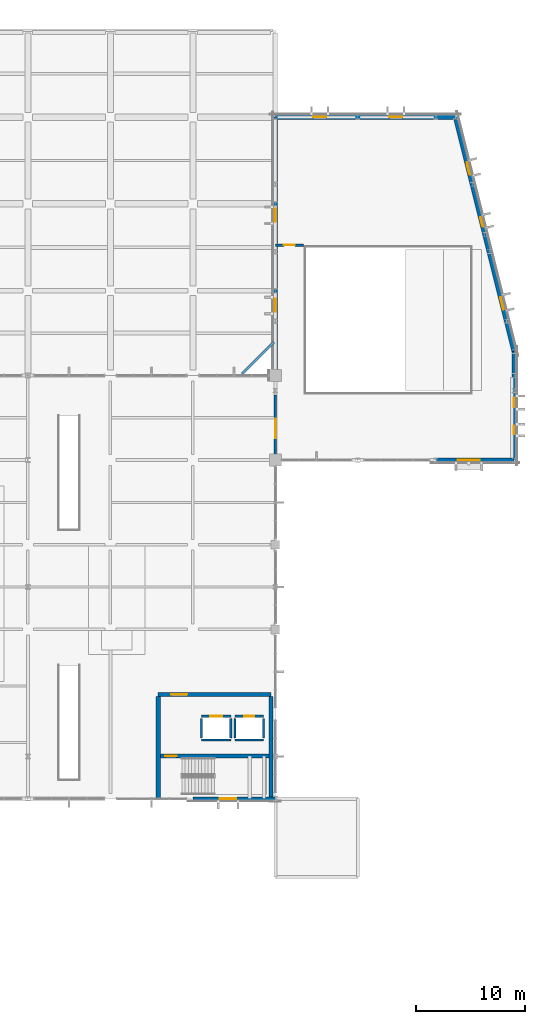
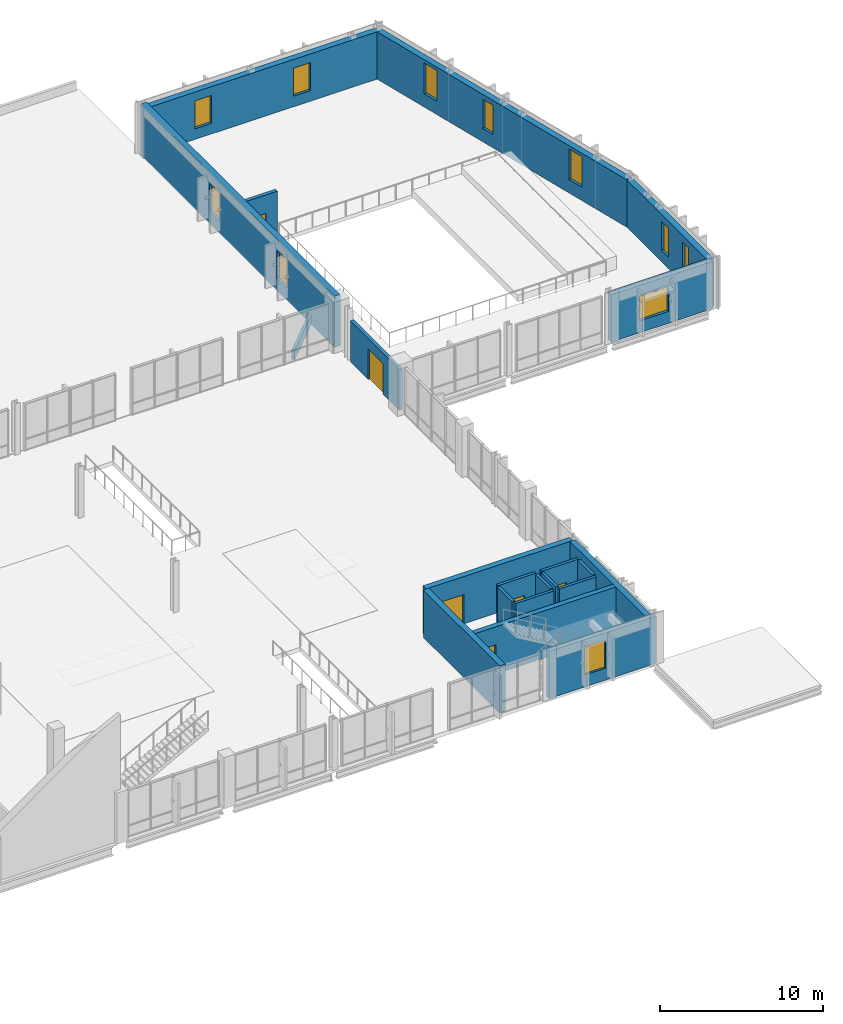
# One storey, part 63 of 85: 21 walls, 11 windows, 6 doors, 17 openings.
"""IFC4 building model written with IfcOpenShell, lengths in metres."""

from ifc_helpers import new_model, si_unit, direction, frame, frame_2d, origin, place, context, subcontext, project, spatial, rectangle, extrude, material, layer, layer_set, type_object, element, fill, save


model = new_model("IFC4")

# Units and contexts
model_context = context("Model", 3, precision=1e-05, world=origin(), true_north=direction((0.0, 1.0)))
body_context = subcontext(model_context, "Body", "Model", "MODEL_VIEW")
ifc_project = project(units=[si_unit("LENGTHUNIT", "METRE"), si_unit("AREAUNIT", "SQUARE_METRE"), si_unit("VOLUMEUNIT", "CUBIC_METRE"), si_unit("PLANEANGLEUNIT", "RADIAN"), si_unit("MASSUNIT", "GRAM", prefix="KILO")], contexts=[model_context])

# Site, building, storey
site_placement = place(None, origin())
site = spatial("IfcSite", under=ifc_project, at=site_placement, CompositionType="ELEMENT")
building_placement = place(site_placement, origin())
building = spatial("IfcBuilding", under=site, at=building_placement, Name="Vervanel Yard Central Library", CompositionType="ELEMENT")
storey_placement = place(building_placement, frame((0.0, 0.0, 5.10009765625)))
storey = spatial("IfcBuildingStorey", under=building, at=storey_placement, Name="L01", CompositionType="ELEMENT", Elevation=5.10009765625)

# Wall, opening, door
ifc_material_1 = material(Name="Concrete C40/50", Category="concrete")
ifc_layer_1 = layer(ifc_material_1, 0.25, Category="concrete")
ifc_layer_set_1 = layer_set([ifc_layer_1], Name="Concrete C40/50")
wall_type_1 = type_object("IfcWallType", Name="Acoustic Auditorium Wall 250", PredefinedType="PARTITIONING", material=ifc_layer_set_1)
wall_1_placement = place(storey_placement, frame((146.0, 74.39990234375, 0.0), z_axis=(0.0, 0.0, 1.0), x_axis=(0.0, 1.0, 0.0)))
wall_1 = element("IfcWall", 1, at=wall_1_placement, inside=storey, type_object=wall_type_1, Name="L01 Acoustic Auditorium Wall 250 IPART-L01-0064", PredefinedType="PARTITIONING", context=body_context, shape_type="SweptSolid", body=[
    extrude(rectangle(XDim=6.0, YDim=0.25, at=frame_2d((3.0, 0.0))), origin(), (0.0, 0.0, 1.0), 3.072509765625),
])
opening_1_placement = place(wall_1_placement, frame((2.0, 0.0, 0.0)))
opening_1 = element("IfcOpeningElement", 2, at=opening_1_placement, cuts=wall_1, Name="Opening DR-05", PredefinedType="OPENING", context=body_context, shape_type="SweptSolid", body=[
    extrude(rectangle(XDim=1.800048828125, YDim=2.300048828125, at=frame_2d((0.89990234375, 1.14990234375))), frame((0.0, 0.135009765625, 0.0), z_axis=(0.0, -1.0, 0.0), x_axis=(1.0, 0.0, 0.0)), (0.0, 0.0, 1.0), 0.27001953125),
])
ifc_material_2 = material(Name="Solid white oak acoustic joinery", Category="wood")
door_type_1 = type_object("IfcDoorType", Name="Acoustic Auditorium Double Door 1800x2300", OperationType="NOTDEFINED", PredefinedType="DOOR", material=ifc_material_2)
door_1_placement = place(opening_1_placement, origin())
door_1 = element("IfcDoor", 3, at=door_1_placement, inside=storey, type_object=door_type_1, Name="L01 Acoustic Auditorium Double Door 1800x2300 IDOOR-L01-0050", OperationType="DOUBLE_DOOR_SINGLE_SWING", OverallHeight=2.300048828125, OverallWidth=1.800048828125, PredefinedType="DOOR", context=body_context, shape_type="SweptSolid", body=[
    extrude(rectangle(XDim=1.800048828125, YDim=2.300048828125, at=frame_2d((0.89990234375, 1.14990234375))), frame((0.0, 0.02490234375, 0.0), z_axis=(0.0, -1.0, 0.0), x_axis=(1.0, 0.0, 0.0)), (0.0, 0.0, 1.0), 0.050048828125),
])
fill(opening_1, door_1)

wall_2_placement = place(storey_placement, frame((146.0, 94.199951171875, 0.0), z_axis=(0.0, 0.0, 1.0), x_axis=(1.0, 0.0, 0.0)))
wall_2 = element("IfcWall", 4, at=wall_2_placement, inside=storey, type_object=wall_type_1, Name="L01 Acoustic Auditorium Wall 250 IPART-L01-0065", PredefinedType="PARTITIONING", context=body_context, shape_type="SweptSolid", body=[
    extrude(rectangle(XDim=2.60009765625, YDim=0.25, at=frame_2d((1.300048828125, 0.0))), origin(), (0.0, 0.0, 1.0), 3.5498046875),
])
opening_2_placement = place(wall_2_placement, frame((0.800048828125, 0.0, 0.0)))
opening_2 = element("IfcOpeningElement", 5, at=opening_2_placement, cuts=wall_2, Name="Opening DR-01", PredefinedType="OPENING", context=body_context, shape_type="SweptSolid", body=[
    extrude(rectangle(XDim=1.0, YDim=2.14990234375, at=frame_2d((0.5, 1.074951171875))), frame((0.0, 0.135009765625, 0.0), z_axis=(0.0, -1.0, 0.0), x_axis=(1.0, 0.0, 0.0)), (0.0, 0.0, 1.0), 0.27001953125),
])
door_type_2 = type_object("IfcDoorType", Name="Interior Single Door 1000x2150", OperationType="NOTDEFINED", PredefinedType="DOOR", material=ifc_material_2)
door_2_placement = place(opening_2_placement, origin())
door_2 = element("IfcDoor", 6, at=door_2_placement, inside=storey, type_object=door_type_2, Name="L01 Interior Single Door 1000x2150 IDOOR-L01-0051", OperationType="SINGLE_SWING_LEFT", OverallHeight=2.14990234375, OverallWidth=1.0, PredefinedType="DOOR", context=body_context, shape_type="SweptSolid", body=[
    extrude(rectangle(XDim=1.0, YDim=2.14990234375, at=frame_2d((0.5, 1.074951171875))), frame((0.0, 0.02490234375, 0.0), z_axis=(0.0, -1.0, 0.0), x_axis=(1.0, 0.0, 0.0)), (0.0, 0.0, 1.0), 0.050048828125),
])
fill(opening_2, door_2)

# Wall, opening, window
ifc_material_3 = material(Name="Concrete C45/55", Category="concrete")
ifc_layer_2 = layer(ifc_material_3, 0.419921875, Category="concrete")
ifc_layer_set_2 = layer_set([ifc_layer_2], Name="Concrete C45/55")
wall_type_2 = type_object("IfcWallType", Name="Auditorium Acoustic Shell Exterior Wall 420", PredefinedType="SOLIDWALL", material=ifc_layer_set_2)
wall_3_placement = place(storey_placement, frame((160.800048828125, 74.39990234375, 0.0), z_axis=(0.0, 0.0, 1.0), x_axis=(1.0, 0.0, 0.0)))
wall_3 = element("IfcWall", 7, at=wall_3_placement, inside=storey, type_object=wall_type_2, Name="L01 Auditorium Acoustic Shell Exterior Wall 420 EWALL-L01-0182", PredefinedType="SOLIDWALL", context=body_context, shape_type="SweptSolid", body=[
    extrude(rectangle(XDim=7.199951171875, YDim=0.419921875, at=frame_2d((3.60009765625, 0.0))), origin(), (0.0, 0.0, 1.0), 3.5498046875),
])
opening_3_placement = place(wall_3_placement, frame((2.0, 0.0, 0.89990234375)))
opening_3 = element("IfcOpeningElement", 8, at=opening_3_placement, cuts=wall_3, Name="Opening WN-26", PredefinedType="OPENING", context=body_context, shape_type="SweptSolid", body=[
    extrude(rectangle(XDim=2.050048828125, YDim=1.85009765625, at=frame_2d((1.02490234375, 0.925048828125))), frame((0.0, 0.219970703125, 0.0), z_axis=(0.0, -1.0, 0.0), x_axis=(1.0, 0.0, 0.0)), (0.0, 0.0, 1.0), 0.43994140625),
])
ifc_material_4 = material(Name="Double low-E laminated solar-control glass", Category="glass")
window_type_1 = type_object("IfcWindowType", Name="Seminar Acoustic Window 2050x1850", PartitioningType="SINGLE_PANEL", PredefinedType="WINDOW", material=ifc_material_4)
window_1_placement = place(opening_3_placement, origin())
window_1 = element("IfcWindow", 9, at=window_1_placement, inside=storey, type_object=window_type_1, Name="L01 Seminar Acoustic Window 2050x1850 225", OverallHeight=1.85009765625, OverallWidth=2.050048828125, PartitioningType="SINGLE_PANEL", PredefinedType="WINDOW", context=body_context, shape_type="SweptSolid", body=[
    extrude(rectangle(XDim=2.050048828125, YDim=1.85009765625, at=frame_2d((1.02490234375, 0.925048828125))), frame((0.0, 0.030029296875, 0.0), z_axis=(0.0, -1.0, 0.0), x_axis=(1.0, 0.0, 0.0)), (0.0, 0.0, 1.0), 0.06005859375),
])
fill(opening_3, window_1)

# Wall, openings, windows
wall_4_placement = place(storey_placement, frame((168.0, 74.39990234375, 0.0), z_axis=(0.0, 0.0, 1.0), x_axis=(0.0, 1.0, 0.0)))
wall_4 = element("IfcWall", 10, at=wall_4_placement, inside=storey, type_object=wall_type_2, Name="L01 Auditorium Acoustic Shell Exterior Wall 420 EWALL-L01-0183", PredefinedType="SOLIDWALL", context=body_context, shape_type="SweptSolid", body=[
    extrude(rectangle(XDim=10.0, YDim=0.419921875, at=frame_2d((5.0, 0.0))), origin(), (0.0, 0.0, 1.0), 3.5498046875),
])
opening_4_placement = place(wall_4_placement, frame((2.39990234375, 0.0, 0.837890625)))
opening_4 = element("IfcOpeningElement", 11, at=opening_4_placement, cuts=wall_4, Name="Opening WN-04", PredefinedType="OPENING", context=body_context, shape_type="SweptSolid", body=[
    extrude(rectangle(XDim=0.75, YDim=2.199951171875, at=frame_2d((0.375, 1.10009765625))), frame((0.0, 0.219970703125, 0.0), z_axis=(0.0, -1.0, 0.0), x_axis=(1.0, 0.0, 0.0)), (0.0, 0.0, 1.0), 0.43994140625),
])
opening_5_placement = place(wall_4_placement, frame((4.85009765625, 0.0, 0.837890625)))
opening_5 = element("IfcOpeningElement", 12, at=opening_5_placement, cuts=wall_4, Name="Opening WN-05", PredefinedType="OPENING", context=body_context, shape_type="SweptSolid", body=[
    extrude(rectangle(XDim=0.89990234375, YDim=2.199951171875, at=frame_2d((0.449951171875, 1.10009765625))), frame((0.0, 0.219970703125, 0.0), z_axis=(0.0, -1.0, 0.0), x_axis=(1.0, 0.0, 0.0)), (0.0, 0.0, 1.0), 0.43994140625),
])
window_type_2 = type_object("IfcWindowType", Name="Stack Deep-Reveal Window 900x2200", PartitioningType="SINGLE_PANEL", PredefinedType="WINDOW", material=ifc_material_4)
window_2_placement = place(opening_5_placement, origin())
window_2 = element("IfcWindow", 13, at=window_2_placement, inside=storey, type_object=window_type_2, Name="L01 Stack Deep-Reveal Window 900x2200 227", OverallHeight=2.199951171875, OverallWidth=0.89990234375, PartitioningType="SINGLE_PANEL", PredefinedType="WINDOW", context=body_context, shape_type="SweptSolid", body=[
    extrude(rectangle(XDim=0.89990234375, YDim=2.199951171875, at=frame_2d((0.449951171875, 1.10009765625))), frame((0.0, 0.030029296875, 0.0), z_axis=(0.0, -1.0, 0.0), x_axis=(1.0, 0.0, 0.0)), (0.0, 0.0, 1.0), 0.06005859375),
])
fill(opening_5, window_2)
window_type_3 = type_object("IfcWindowType", Name="Stack Narrow UV-Filtered Window 750x2200", PartitioningType="SINGLE_PANEL", PredefinedType="WINDOW", material=ifc_material_4)
window_3_placement = place(opening_4_placement, origin())
window_3 = element("IfcWindow", 14, at=window_3_placement, inside=storey, type_object=window_type_3, Name="L01 Stack Narrow UV-Filtered Window 750x2200 226", OverallHeight=2.199951171875, OverallWidth=0.75, PartitioningType="SINGLE_PANEL", PredefinedType="WINDOW", context=body_context, shape_type="SweptSolid", body=[
    extrude(rectangle(XDim=0.75, YDim=2.199951171875, at=frame_2d((0.375, 1.10009765625))), frame((0.0, 0.030029296875, 0.0), z_axis=(0.0, -1.0, 0.0), x_axis=(1.0, 0.0, 0.0)), (0.0, 0.0, 1.0), 0.06005859375),
])
fill(opening_4, window_3)

wall_5_placement = place(storey_placement, frame((168.0, 84.39990234375, 0.0), z_axis=(0.0, 0.0, 1.0), x_axis=(-0.242530464893, 0.970143790167, 0.0)))
wall_5 = element("IfcWall", 15, at=wall_5_placement, inside=storey, type_object=wall_type_2, Name="L01 Auditorium Acoustic Shell Exterior Wall 420 EWALL-L01-0184", PredefinedType="SOLIDWALL", context=body_context, shape_type="SweptSolid", body=[
    extrude(rectangle(XDim=22.264892578125, YDim=0.419921875, at=frame_2d((11.13232421875, 0.0))), origin(), (0.0, 0.0, 1.0), 3.5498046875),
])
opening_6_placement = place(wall_5_placement, frame((4.0, 0.0, 1.0)))
opening_6 = element("IfcOpeningElement", 16, at=opening_6_placement, cuts=wall_5, Name="Opening WN-19", PredefinedType="OPENING", context=body_context, shape_type="SweptSolid", body=[
    extrude(rectangle(XDim=1.14990234375, YDim=2.300048828125, at=frame_2d((0.574951171875, 1.14990234375))), frame((0.0, 0.219970703125, 0.0), z_axis=(0.0, -1.0, 0.0), x_axis=(1.0, 0.0, 0.0)), (0.0, 0.0, 1.0), 0.43994140625),
])
opening_7_placement = place(wall_5_placement, frame((11.85009765625, 0.0, 1.0)))
opening_7 = element("IfcOpeningElement", 17, at=opening_7_placement, cuts=wall_5, Name="Opening WN-05", PredefinedType="OPENING", context=body_context, shape_type="SweptSolid", body=[
    extrude(rectangle(XDim=0.89990234375, YDim=2.199951171875, at=frame_2d((0.449951171875, 1.10009765625))), frame((0.0, 0.219970703125, 0.0), z_axis=(0.0, -1.0, 0.0), x_axis=(1.0, 0.0, 0.0)), (0.0, 0.0, 1.0), 0.43994140625),
])
opening_8_placement = place(wall_5_placement, frame((16.800048828125, 0.0, 1.0)))
opening_8 = element("IfcOpeningElement", 18, at=opening_8_placement, cuts=wall_5, Name="Opening WN-19", PredefinedType="OPENING", context=body_context, shape_type="SweptSolid", body=[
    extrude(rectangle(XDim=1.14990234375, YDim=2.300048828125, at=frame_2d((0.574951171875, 1.14990234375))), frame((0.0, 0.219970703125, 0.0), z_axis=(0.0, -1.0, 0.0), x_axis=(1.0, 0.0, 0.0)), (0.0, 0.0, 1.0), 0.43994140625),
])
window_type_4 = type_object("IfcWindowType", Name="Reading Tall Slot Window 1150x2300", PartitioningType="SINGLE_PANEL", PredefinedType="WINDOW", material=ifc_material_4)
window_4_placement = place(opening_6_placement, origin())
window_4 = element("IfcWindow", 19, at=window_4_placement, inside=storey, type_object=window_type_4, Name="L01 Reading Tall Slot Window 1150x2300 228", OverallHeight=2.300048828125, OverallWidth=1.14990234375, PartitioningType="SINGLE_PANEL", PredefinedType="WINDOW", context=body_context, shape_type="SweptSolid", body=[
    extrude(rectangle(XDim=1.14990234375, YDim=2.300048828125, at=frame_2d((0.574951171875, 1.14990234375))), frame((0.0, 0.030029296875, 0.0), z_axis=(0.0, -1.0, 0.0), x_axis=(1.0, 0.0, 0.0)), (0.0, 0.0, 1.0), 0.06005859375),
])
fill(opening_6, window_4)
window_5_placement = place(opening_8_placement, origin())
window_5 = element("IfcWindow", 20, at=window_5_placement, inside=storey, type_object=window_type_4, Name="L01 Reading Tall Slot Window 1150x2300 230", OverallHeight=2.300048828125, OverallWidth=1.14990234375, PartitioningType="SINGLE_PANEL", PredefinedType="WINDOW", context=body_context, shape_type="SweptSolid", body=[
    extrude(rectangle(XDim=1.14990234375, YDim=2.300048828125, at=frame_2d((0.574951171875, 1.14990234375))), frame((0.0, 0.030029296875, 0.0), z_axis=(0.0, -1.0, 0.0), x_axis=(1.0, 0.0, 0.0)), (0.0, 0.0, 1.0), 0.06005859375),
])
fill(opening_8, window_5)
window_6_placement = place(opening_7_placement, origin())
window_6 = element("IfcWindow", 21, at=window_6_placement, inside=storey, type_object=window_type_2, Name="L01 Stack Deep-Reveal Window 900x2200 229", OverallHeight=2.199951171875, OverallWidth=0.89990234375, PartitioningType="SINGLE_PANEL", PredefinedType="WINDOW", context=body_context, shape_type="SweptSolid", body=[
    extrude(rectangle(XDim=0.89990234375, YDim=2.199951171875, at=frame_2d((0.449951171875, 1.10009765625))), frame((0.0, 0.030029296875, 0.0), z_axis=(0.0, -1.0, 0.0), x_axis=(1.0, 0.0, 0.0)), (0.0, 0.0, 1.0), 0.06005859375),
])
fill(opening_7, window_6)

wall_6_placement = place(storey_placement, frame((146.0, 106.0, 0.0), z_axis=(0.0, 0.0, 1.0), x_axis=(1.0, 0.0, 0.0)))
wall_6 = element("IfcWall", 22, at=wall_6_placement, inside=storey, type_object=wall_type_2, Name="L01 Auditorium Acoustic Shell Exterior Wall 420 EWALL-L01-0185", PredefinedType="SOLIDWALL", context=body_context, shape_type="SweptSolid", body=[
    extrude(rectangle(XDim=16.60009765625, YDim=0.419921875, at=frame_2d((8.300048828125, 0.0))), origin(), (0.0, 0.0, 1.0), 3.5498046875),
])
opening_9_placement = place(wall_6_placement, frame((3.5, 0.0, 0.79296875)))
opening_9 = element("IfcOpeningElement", 23, at=opening_9_placement, cuts=wall_6, Name="Opening WN-01", PredefinedType="OPENING", context=body_context, shape_type="SweptSolid", body=[
    extrude(rectangle(XDim=1.199951171875, YDim=2.10009765625, at=frame_2d((0.60009765625, 1.050048828125))), frame((0.0, 0.219970703125, 0.0), z_axis=(0.0, -1.0, 0.0), x_axis=(1.0, 0.0, 0.0)), (0.0, 0.0, 1.0), 0.43994140625),
])
opening_10_placement = place(wall_6_placement, frame((10.5, 0.0, 0.79296875)))
opening_10 = element("IfcOpeningElement", 24, at=opening_10_placement, cuts=wall_6, Name="Opening WN-01", PredefinedType="OPENING", context=body_context, shape_type="SweptSolid", body=[
    extrude(rectangle(XDim=1.199951171875, YDim=2.10009765625, at=frame_2d((0.60009765625, 1.050048828125))), frame((0.0, 0.219970703125, 0.0), z_axis=(0.0, -1.0, 0.0), x_axis=(1.0, 0.0, 0.0)), (0.0, 0.0, 1.0), 0.43994140625),
])
window_type_5 = type_object("IfcWindowType", Name="Reading Slot Window 1200x2100", PartitioningType="SINGLE_PANEL", PredefinedType="WINDOW", material=ifc_material_4)
window_7_placement = place(opening_9_placement, origin())
window_7 = element("IfcWindow", 25, at=window_7_placement, inside=storey, type_object=window_type_5, Name="L01 Reading Slot Window 1200x2100 231", OverallHeight=2.10009765625, OverallWidth=1.199951171875, PartitioningType="SINGLE_PANEL", PredefinedType="WINDOW", context=body_context, shape_type="SweptSolid", body=[
    extrude(rectangle(XDim=1.199951171875, YDim=2.10009765625, at=frame_2d((0.60009765625, 1.050048828125))), frame((0.0, 0.030029296875, 0.0), z_axis=(0.0, -1.0, 0.0), x_axis=(1.0, 0.0, 0.0)), (0.0, 0.0, 1.0), 0.06005859375),
])
fill(opening_9, window_7)
window_8_placement = place(opening_10_placement, origin())
window_8 = element("IfcWindow", 26, at=window_8_placement, inside=storey, type_object=window_type_5, Name="L01 Reading Slot Window 1200x2100 232", OverallHeight=2.10009765625, OverallWidth=1.199951171875, PartitioningType="SINGLE_PANEL", PredefinedType="WINDOW", context=body_context, shape_type="SweptSolid", body=[
    extrude(rectangle(XDim=1.199951171875, YDim=2.10009765625, at=frame_2d((0.60009765625, 1.050048828125))), frame((0.0, 0.030029296875, 0.0), z_axis=(0.0, -1.0, 0.0), x_axis=(1.0, 0.0, 0.0)), (0.0, 0.0, 1.0), 0.06005859375),
])
fill(opening_10, window_8)

wall_7_placement = place(storey_placement, frame((146.0, 82.199951171875, 0.0), z_axis=(0.0, 0.0, 1.0), x_axis=(0.0, 1.0, 0.0)))
wall_7 = element("IfcWall", 27, at=wall_7_placement, inside=storey, type_object=wall_type_2, Name="L01 Auditorium Acoustic Shell Exterior Wall 420 EWALL-L01-0190", PredefinedType="SOLIDWALL", context=body_context, shape_type="SweptSolid", body=[
    extrude(rectangle(XDim=23.800048828125, YDim=0.419921875, at=frame_2d((11.89990234375, 0.0))), origin(), (0.0, 0.0, 1.0), 3.83984375),
])
opening_11_placement = place(wall_7_placement, frame((5.85009765625, 0.0, 0.89990234375)))
opening_11 = element("IfcOpeningElement", 28, at=opening_11_placement, cuts=wall_7, Name="Opening WN-01", PredefinedType="OPENING", context=body_context, shape_type="SweptSolid", body=[
    extrude(rectangle(XDim=1.199951171875, YDim=2.10009765625, at=frame_2d((0.60009765625, 1.050048828125))), frame((0.0, 0.219970703125, 0.0), z_axis=(0.0, -1.0, 0.0), x_axis=(1.0, 0.0, 0.0)), (0.0, 0.0, 1.0), 0.43994140625),
])
opening_12_placement = place(wall_7_placement, frame((14.14990234375, 0.0, 0.89990234375)))
opening_12 = element("IfcOpeningElement", 29, at=opening_12_placement, cuts=wall_7, Name="Opening WN-01", PredefinedType="OPENING", context=body_context, shape_type="SweptSolid", body=[
    extrude(rectangle(XDim=1.199951171875, YDim=2.10009765625, at=frame_2d((0.60009765625, 1.050048828125))), frame((0.0, 0.219970703125, 0.0), z_axis=(0.0, -1.0, 0.0), x_axis=(1.0, 0.0, 0.0)), (0.0, 0.0, 1.0), 0.43994140625),
])
window_9_placement = place(opening_11_placement, origin())
window_9 = element("IfcWindow", 30, at=window_9_placement, inside=storey, type_object=window_type_5, Name="L01 Reading Slot Window 1200x2100 241", OverallHeight=2.10009765625, OverallWidth=1.199951171875, PartitioningType="SINGLE_PANEL", PredefinedType="WINDOW", context=body_context, shape_type="SweptSolid", body=[
    extrude(rectangle(XDim=1.199951171875, YDim=2.10009765625, at=frame_2d((0.60009765625, 1.050048828125))), frame((0.0, 0.030029296875, 0.0), z_axis=(0.0, -1.0, 0.0), x_axis=(1.0, 0.0, 0.0)), (0.0, 0.0, 1.0), 0.06005859375),
])
fill(opening_11, window_9)
window_10_placement = place(opening_12_placement, origin())
window_10 = element("IfcWindow", 31, at=window_10_placement, inside=storey, type_object=window_type_5, Name="L01 Reading Slot Window 1200x2100 242", OverallHeight=2.10009765625, OverallWidth=1.199951171875, PartitioningType="SINGLE_PANEL", PredefinedType="WINDOW", context=body_context, shape_type="SweptSolid", body=[
    extrude(rectangle(XDim=1.199951171875, YDim=2.10009765625, at=frame_2d((0.60009765625, 1.050048828125))), frame((0.0, 0.030029296875, 0.0), z_axis=(0.0, -1.0, 0.0), x_axis=(1.0, 0.0, 0.0)), (0.0, 0.0, 1.0), 0.06005859375),
])
fill(opening_12, window_10)

# Wall, opening, door
ifc_layer_3 = layer(ifc_material_3, 0.39990234375, Category="concrete")
ifc_layer_set_3 = layer_set([ifc_layer_3], Name="Concrete C45/55")
wall_type_3 = type_object("IfcWallType", Name="Core Primary Shear Wall 400", PredefinedType="SHEAR", material=ifc_layer_set_3)
wall_8_placement = place(storey_placement, frame((135.199951171875, 52.800048828125, 0.0), z_axis=(0.0, 0.0, 1.0), x_axis=(1.0, 0.0, 0.0)))
wall_8 = element("IfcWall", 32, at=wall_8_placement, inside=storey, type_object=wall_type_3, Name="L01 CORE-E Shear Wall N", PredefinedType="SHEAR", context=body_context, shape_type="SweptSolid", body=[
    extrude(rectangle(XDim=10.400146484375, YDim=0.39990234375, at=frame_2d((5.2001953125, 0.0))), origin(), (0.0, 0.0, 1.0), 3.5498046875),
])
opening_13_placement = place(wall_8_placement, frame((1.199951171875, 0.0, 0.0)))
opening_13 = element("IfcOpeningElement", 33, at=opening_13_placement, cuts=wall_8, Name="Opening DR-F02", PredefinedType="OPENING", context=body_context, shape_type="SweptSolid", body=[
    extrude(rectangle(XDim=1.5, YDim=2.199951171875, at=frame_2d((0.75, 1.10009765625))), frame((0.0, 0.2099609375, 0.0), z_axis=(0.0, -1.0, 0.0), x_axis=(1.0, 0.0, 0.0)), (0.0, 0.0, 1.0), 0.419921875),
])
ifc_material_5 = material(Name="Galvanized painted steelwork ASTM A500 Grade C", Category="steel")
door_type_3 = type_object("IfcDoorType", Name="Fire-Rated Lobby Door 1500x2200", OperationType="NOTDEFINED", PredefinedType="DOOR", material=ifc_material_5)
door_3_placement = place(opening_13_placement, origin())
door_3 = element("IfcDoor", 34, at=door_3_placement, inside=storey, type_object=door_type_3, Name="L01 CORE-E Lobby Fire Door", OperationType="DOUBLE_DOOR_SINGLE_SWING", OverallHeight=2.199951171875, OverallWidth=1.5, PredefinedType="DOOR", context=body_context, shape_type="SweptSolid", body=[
    extrude(rectangle(XDim=1.5, YDim=2.199951171875, at=frame_2d((0.75, 1.10009765625))), frame((0.0, 0.02490234375, 0.0), z_axis=(0.0, -1.0, 0.0), x_axis=(1.0, 0.0, 0.0)), (0.0, 0.0, 1.0), 0.050048828125),
])
fill(opening_13, door_3)

# Walls
for number, where, z_axis, x_axis, name in (
    (35, (135.199951171875, 43.199951171875, 0.0), (0.0, 0.0, 1.0), (0.0, 1.0, 0.0), "L01 CORE-E Shear Wall W"),
    (36, (145.60009765625, 43.199951171875, 0.0), (0.0, 0.0, 1.0), (0.0, 1.0, 0.0), "L01 CORE-E Shear Wall E"),
):
    element("IfcWall", number, at=place(storey_placement, frame(where, z_axis=z_axis, x_axis=x_axis)), inside=storey, type_object=wall_type_3, Name=name, PredefinedType="SHEAR", context=body_context, shape_type="SweptSolid", body=[
        extrude(rectangle(XDim=9.400146484375, YDim=0.39990234375, at=frame_2d((4.7001953125, 0.0))), origin(), (0.0, 0.0, 1.0), 3.5498046875),
    ])

# Wall, opening, door
ifc_layer_4 = layer(ifc_material_3, 0.35009765625, Category="concrete")
ifc_layer_set_4 = layer_set([ifc_layer_4], Name="Concrete C45/55")
wall_type_4 = type_object("IfcWallType", Name="Core Secondary Shear Wall 350", PredefinedType="SHEAR", material=ifc_layer_set_4)
wall_9_placement = place(storey_placement, frame((135.39990234375, 47.135009765625, 0.0), z_axis=(0.0, 0.0, 1.0), x_axis=(1.0, 0.0, 0.0)))
wall_9 = element("IfcWall", 37, at=wall_9_placement, inside=storey, type_object=wall_type_4, Name="L01 CORE-E Stair Shaft Wall", PredefinedType="SHEAR", context=body_context, shape_type="SweptSolid", body=[
    extrude(rectangle(XDim=10.0, YDim=0.35009765625, at=frame_2d((5.0, 0.0))), origin(), (0.0, 0.0, 1.0), 3.5498046875),
])
opening_14_placement = place(wall_9_placement, frame((0.449951171875, 0.0, 0.0)))
opening_14 = element("IfcOpeningElement", 38, at=opening_14_placement, cuts=wall_9, Name="Opening DR-F01", PredefinedType="OPENING", context=body_context, shape_type="SweptSolid", body=[
    extrude(rectangle(XDim=1.050048828125, YDim=2.199951171875, at=frame_2d((0.52490234375, 1.10009765625))), frame((0.0, 0.18505859375, 0.0), z_axis=(0.0, -1.0, 0.0), x_axis=(1.0, 0.0, 0.0)), (0.0, 0.0, 1.0), 0.3701171875),
])
door_type_4 = type_object("IfcDoorType", Name="Fire-Rated Stair Exit Door 1050x2200", OperationType="NOTDEFINED", PredefinedType="DOOR", material=ifc_material_5)
door_4_placement = place(opening_14_placement, origin())
door_4 = element("IfcDoor", 39, at=door_4_placement, inside=storey, type_object=door_type_4, Name="L01 CORE-E Stair Door", OperationType="SINGLE_SWING_RIGHT", OverallHeight=2.199951171875, OverallWidth=1.050048828125, PredefinedType="DOOR", context=body_context, shape_type="SweptSolid", body=[
    extrude(rectangle(XDim=1.050048828125, YDim=2.199951171875, at=frame_2d((0.52490234375, 1.10009765625))), frame((0.0, 0.02490234375, 0.0), z_axis=(0.0, -1.0, 0.0), x_axis=(1.0, 0.0, 0.0)), (0.0, 0.0, 1.0), 0.050048828125),
])
fill(opening_14, door_4)

# Wall, opening, window
ifc_layer_5 = layer(ifc_material_3, 0.340087890625, Category="concrete")
ifc_layer_set_5 = layer_set([ifc_layer_5], Name="Concrete C45/55")
wall_type_5 = type_object("IfcWallType", Name="Exterior Bearing Concrete Frame Wall 340", PredefinedType="SOLIDWALL", material=ifc_layer_set_5)
wall_10_placement = place(storey_placement, frame((138.39990234375, 43.199951171875, 0.0), z_axis=(0.0, 0.0, 1.0), x_axis=(1.0, 0.0, 0.0)))
wall_10 = element("IfcWall", 40, at=wall_10_placement, inside=storey, type_object=wall_type_5, Name="L01 Exterior Bearing Concrete Frame Wall 340 EWALL-L01-0163", PredefinedType="SOLIDWALL", context=body_context, shape_type="SweptSolid", body=[
    extrude(rectangle(XDim=7.60009765625, YDim=0.340087890625, at=frame_2d((3.800048828125, 0.0))), origin(), (0.0, 0.0, 1.0), 3.5498046875),
])
opening_15_placement = place(wall_10_placement, frame((2.5, 0.0, 0.89990234375)))
opening_15 = element("IfcOpeningElement", 41, at=opening_15_placement, cuts=wall_10, Name="Opening WN-02", PredefinedType="OPENING", context=body_context, shape_type="SweptSolid", body=[
    extrude(rectangle(XDim=1.5, YDim=2.10009765625, at=frame_2d((0.75, 1.050048828125))), frame((0.0, 0.179931640625, 0.0), z_axis=(0.0, -1.0, 0.0), x_axis=(1.0, 0.0, 0.0)), (0.0, 0.0, 1.0), 0.360107421875),
])
window_type_6 = type_object("IfcWindowType", Name="Reading Bay Window 1500x2100", PartitioningType="SINGLE_PANEL", PredefinedType="WINDOW", material=ifc_material_4)
window_11_placement = place(opening_15_placement, origin())
window_11 = element("IfcWindow", 42, at=window_11_placement, inside=storey, type_object=window_type_6, Name="L01 Reading Bay Window 1500x2100 214", OverallHeight=2.10009765625, OverallWidth=1.5, PartitioningType="SINGLE_PANEL", PredefinedType="WINDOW", context=body_context, shape_type="SweptSolid", body=[
    extrude(rectangle(XDim=1.5, YDim=2.10009765625, at=frame_2d((0.75, 1.050048828125))), frame((0.0, 0.030029296875, 0.0), z_axis=(0.0, -1.0, 0.0), x_axis=(1.0, 0.0, 0.0)), (0.0, 0.0, 1.0), 0.06005859375),
])
fill(opening_15, window_11)

# Walls
ifc_layer_6 = layer(ifc_material_1, 0.199951171875, Category="concrete")
ifc_layer_set_6 = layer_set([ifc_layer_6], Name="Concrete C40/50")
wall_type_6 = type_object("IfcWallType", Name="Setback Roof Concrete Parapet 200", PredefinedType="PARAPET", material=ifc_layer_set_6)
wall_11_placement = place(storey_placement, frame((142.94140625, 82.34130859375, 0.0), z_axis=(0.0, 0.0, 1.0), x_axis=(0.707106781187, 0.707106781187, 0.0)))
element("IfcWall", 43, at=wall_11_placement, inside=storey, type_object=wall_type_6, Name="L01 Roof Parapet 1", PredefinedType="PARAPET", context=body_context, shape_type="SweptSolid", body=[
    extrude(rectangle(XDim=4.12548828125, YDim=0.199951171875, at=frame_2d((2.062744140625, 0.0))), origin(), (0.0, 0.0, 1.0), 0.719970703125),
])
ifc_layer_7 = layer(ifc_material_1, 0.199951171875, Category="concrete")
ifc_layer_set_7 = layer_set([ifc_layer_7], Name="Concrete C40/50")
wall_type_7 = type_object("IfcWallType", Name="Shaft & Plant Rated Wall 200", PredefinedType="PARTITIONING", material=ifc_layer_set_7)
wall_12_placement = place(storey_placement, frame((139.199951171875, 48.60009765625, 0.0), z_axis=(0.0, 0.0, 1.0), x_axis=(1.0, 0.0, 0.0)))
element("IfcWall", 44, at=wall_12_placement, inside=storey, type_object=wall_type_7, Name="L01 CORE-E-L01-EL-05 Shaft Wall S", PredefinedType="PARTITIONING", context=body_context, shape_type="SweptSolid", body=[
    extrude(rectangle(XDim=2.699951171875, YDim=0.199951171875, at=frame_2d((1.35009765625, 0.0))), origin(), (0.0, 0.0, 1.0), 3.5498046875),
])

# Wall, opening, door
wall_13_placement = place(storey_placement, frame((139.199951171875, 50.800048828125, 0.0), z_axis=(0.0, 0.0, 1.0), x_axis=(1.0, 0.0, 0.0)))
wall_13 = element("IfcWall", 45, at=wall_13_placement, inside=storey, type_object=wall_type_7, Name="L01 CORE-E-L01-EL-05 Shaft Wall N", PredefinedType="PARTITIONING", context=body_context, shape_type="SweptSolid", body=[
    extrude(rectangle(XDim=2.699951171875, YDim=0.199951171875, at=frame_2d((1.35009765625, 0.0))), origin(), (0.0, 0.0, 1.0), 3.5498046875),
])
opening_16_placement = place(wall_13_placement, frame((0.800048828125, 0.0, 0.0)))
opening_16 = element("IfcOpeningElement", 46, at=opening_16_placement, cuts=wall_13, Name="Opening LD-01", PredefinedType="OPENING", context=body_context, shape_type="SweptSolid", body=[
    extrude(rectangle(XDim=1.10009765625, YDim=2.14990234375, at=frame_2d((0.550048828125, 1.074951171875))), frame((0.0, 0.10986328125, 0.0), z_axis=(0.0, -1.0, 0.0), x_axis=(1.0, 0.0, 0.0)), (0.0, 0.0, 1.0), 0.219970703125),
])
ifc_material_6 = material(Name="Brushed stainless steel AISI 316", Category="steel")
door_type_5 = type_object("IfcDoorType", Name="Passenger Lift Sliding Landing Door 1100x2150", OperationType="NOTDEFINED", PredefinedType="DOOR", material=ifc_material_6)
door_5_placement = place(opening_16_placement, origin())
door_5 = element("IfcDoor", 47, at=door_5_placement, inside=storey, type_object=door_type_5, Name="L01 Lift EL-05 Landing Door", OperationType="SLIDING_TO_LEFT", OverallHeight=2.14990234375, OverallWidth=1.10009765625, PredefinedType="DOOR", context=body_context, shape_type="SweptSolid", body=[
    extrude(rectangle(XDim=1.10009765625, YDim=2.14990234375, at=frame_2d((0.550048828125, 1.074951171875))), frame((0.0, 0.02490234375, 0.0), z_axis=(0.0, -1.0, 0.0), x_axis=(1.0, 0.0, 0.0)), (0.0, 0.0, 1.0), 0.050048828125),
])
fill(opening_16, door_5)

# Walls
for number, where, z_axis, x_axis, name in (
    (48, (139.199951171875, 48.800048828125, 0.0), (0.0, 0.0, 1.0), (0.0, 1.0, 0.0), "L01 CORE-E-L01-EL-05 Shaft Wall W"),
    (49, (141.89990234375, 48.800048828125, 0.0), (0.0, 0.0, 1.0), (0.0, 1.0, 0.0), "L01 CORE-E-L01-EL-05 Shaft Wall E"),
):
    element("IfcWall", number, at=place(storey_placement, frame(where, z_axis=z_axis, x_axis=x_axis)), inside=storey, type_object=wall_type_7, Name=name, PredefinedType="PARTITIONING", context=body_context, shape_type="SweptSolid", body=[
        extrude(rectangle(XDim=1.800048828125, YDim=0.199951171875, at=frame_2d((0.89990234375, 0.0))), origin(), (0.0, 0.0, 1.0), 3.5498046875),
    ])
wall_14_placement = place(storey_placement, frame((142.300048828125, 48.60009765625, 0.0), z_axis=(0.0, 0.0, 1.0), x_axis=(1.0, 0.0, 0.0)))
element("IfcWall", 50, at=wall_14_placement, inside=storey, type_object=wall_type_7, Name="L01 CORE-E-L01-RIS Shaft Wall S", PredefinedType="PARTITIONING", context=body_context, shape_type="SweptSolid", body=[
    extrude(rectangle(XDim=2.599853515625, YDim=0.199951171875, at=frame_2d((1.2998046875, 0.0))), origin(), (0.0, 0.0, 1.0), 3.5498046875),
])

# Wall, opening, door
wall_15_placement = place(storey_placement, frame((142.300048828125, 50.800048828125, 0.0), z_axis=(0.0, 0.0, 1.0), x_axis=(1.0, 0.0, 0.0)))
wall_15 = element("IfcWall", 51, at=wall_15_placement, inside=storey, type_object=wall_type_7, Name="L01 CORE-E-L01-RIS Shaft Wall N", PredefinedType="PARTITIONING", context=body_context, shape_type="SweptSolid", body=[
    extrude(rectangle(XDim=2.599853515625, YDim=0.199951171875, at=frame_2d((1.2998046875, 0.0))), origin(), (0.0, 0.0, 1.0), 3.5498046875),
])
opening_17_placement = place(wall_15_placement, frame((0.85009765625, 0.0, 0.0)))
opening_17 = element("IfcOpeningElement", 52, at=opening_17_placement, cuts=wall_15, Name="Opening DR-03", PredefinedType="OPENING", context=body_context, shape_type="SweptSolid", body=[
    extrude(rectangle(XDim=0.89990234375, YDim=2.10009765625, at=frame_2d((0.449951171875, 1.050048828125))), frame((0.0, 0.10986328125, 0.0), z_axis=(0.0, -1.0, 0.0), x_axis=(1.0, 0.0, 0.0)), (0.0, 0.0, 1.0), 0.219970703125),
])
door_type_6 = type_object("IfcDoorType", Name="Interior Riser Access Door 900x2100", OperationType="NOTDEFINED", PredefinedType="DOOR", material=ifc_material_5)
door_6_placement = place(opening_17_placement, origin())
door_6 = element("IfcDoor", 53, at=door_6_placement, inside=storey, type_object=door_type_6, Name="L01 CORE-E Riser Access Door", OperationType="SINGLE_SWING_LEFT", OverallHeight=2.10009765625, OverallWidth=0.89990234375, PredefinedType="DOOR", context=body_context, shape_type="SweptSolid", body=[
    extrude(rectangle(XDim=0.89990234375, YDim=2.10009765625, at=frame_2d((0.449951171875, 1.050048828125))), frame((0.0, 0.02490234375, 0.0), z_axis=(0.0, -1.0, 0.0), x_axis=(1.0, 0.0, 0.0)), (0.0, 0.0, 1.0), 0.050048828125),
])
fill(opening_17, door_6)

# Walls
for number, where, z_axis, x_axis, name in (
    (54, (142.300048828125, 48.800048828125, 0.0), (0.0, 0.0, 1.0), (0.0, 1.0, 0.0), "L01 CORE-E-L01-RIS Shaft Wall W"),
    (55, (144.89990234375, 48.800048828125, 0.0), (0.0, 0.0, 1.0), (0.0, 1.0, 0.0), "L01 CORE-E-L01-RIS Shaft Wall E"),
):
    element("IfcWall", number, at=place(storey_placement, frame(where, z_axis=z_axis, x_axis=x_axis)), inside=storey, type_object=wall_type_7, Name=name, PredefinedType="PARTITIONING", context=body_context, shape_type="SweptSolid", body=[
        extrude(rectangle(XDim=1.800048828125, YDim=0.199951171875, at=frame_2d((0.89990234375, 0.0))), origin(), (0.0, 0.0, 1.0), 3.5498046875),
    ])

save(model, "model.ifc")
